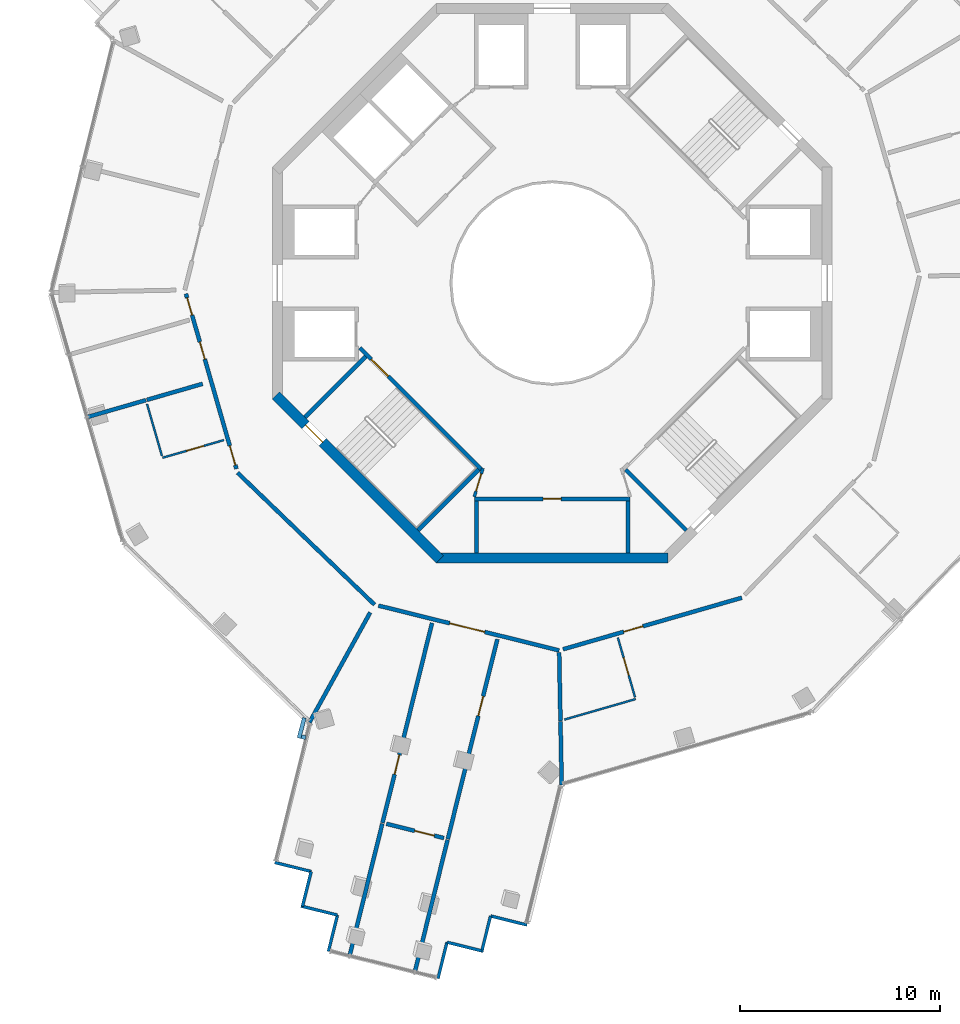
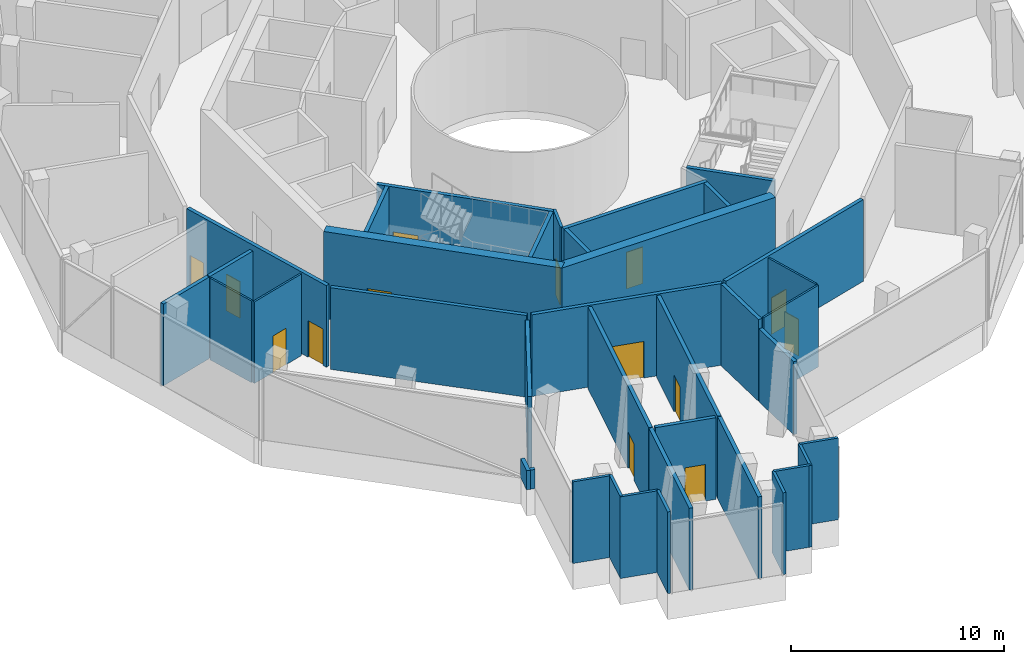
# One storey, part 8 of 17: 38 walls, 14 doors, 14 openings.
"""IFC4 building model written with IfcOpenShell, lengths in metres."""

from ifc_helpers import new_model, si_unit, direction, frame, frame_2d, origin, place, context, subcontext, project, spatial, rectangle, extrude, material, layer, layer_set, type_object, element, fill, save


model = new_model("IFC4")

# Units and contexts
model_context = context("Model", 3, precision=1e-05, world=origin(), true_north=direction((0.0, 1.0)))
body_context = subcontext(model_context, "Body", "Model", "MODEL_VIEW")
ifc_project = project(units=[si_unit("LENGTHUNIT", "METRE"), si_unit("AREAUNIT", "SQUARE_METRE"), si_unit("VOLUMEUNIT", "CUBIC_METRE"), si_unit("PLANEANGLEUNIT", "RADIAN"), si_unit("MASSUNIT", "GRAM", prefix="KILO")], contexts=[model_context])

# Site, building, storey
site_placement = place(None, origin())
site = spatial("IfcSite", under=ifc_project, at=site_placement, CompositionType="ELEMENT")
building_placement = place(site_placement, origin())
building = spatial("IfcBuilding", under=site, at=building_placement, Name="Verdalira Terraces Hotel", CompositionType="ELEMENT")
storey_placement = place(building_placement, frame((0.0, 0.0, 222.0)))
storey = spatial("IfcBuildingStorey", under=building, at=storey_placement, Name="L54", CompositionType="ELEMENT", Elevation=222.0)

# Wall
ifc_material_1 = material(Name="Moisture-resistant gypsum board partition")
ifc_layer_1 = layer(ifc_material_1, 0.10009765625)
ifc_layer_set_1 = layer_set([ifc_layer_1], Name="Bathroom partition 100 mm")
wall_type_1 = type_object("IfcWallType", Name="Bathroom partition 100 mm", PredefinedType="PARTITIONING", material=ifc_layer_set_1)
wall_1_placement = place(storey_placement, frame((-19.527344, -8.646973, 0.0), z_axis=(0.0, 0.0, 1.0), x_axis=(-0.276953567, 0.960883303, 0.0)))
element("IfcWall", 1, at=wall_1_placement, inside=storey, type_object=wall_type_1, Name="Bathroom partition", PredefinedType="PARTITIONING", context=body_context, shape_type="SweptSolid", body=[
    extrude(rectangle(XDim=2.700195, YDim=0.100098, at=frame_2d((1.350098, 0.0))), origin(), (0.0, 0.0, 1.0), 4.689941),
])

# Wall, opening, door
wall_2_placement = place(storey_placement, frame((-19.499512, -8.74292, 0.0), z_axis=(0.0, 0.0, 1.0), x_axis=(0.960882179, 0.276957465, 0.0)))
wall_2 = element("IfcWall", 2, at=wall_2_placement, inside=storey, type_object=wall_type_1, Name="Bathroom partition", PredefinedType="PARTITIONING", context=body_context, shape_type="SweptSolid", body=[
    extrude(rectangle(XDim=3.199951, YDim=0.100098, at=frame_2d((1.600098, 0.0))), origin(), (0.0, 0.0, 1.0), 4.689941),
])
opening_1_placement = place(wall_2_placement, frame((1.25, 0.0, 0.0)))
opening_1 = element("IfcOpeningElement", 3, at=opening_1_placement, cuts=wall_2, Name="Opening L54-107", PredefinedType="OPENING", context=body_context, shape_type="SweptSolid", body=[
    extrude(rectangle(XDim=0.899902, YDim=2.100098, at=frame_2d((0.449951, 1.050049))), frame((0.0, 0.060059, 0.0), z_axis=(0.0, -1.0, 0.0), x_axis=(1.0, 0.0, 0.0)), (0.0, 0.0, 1.0), 0.120117),
])
ifc_material_2 = material(Name="Timber door", Category="wood")
door_type_1 = type_object("IfcDoorType", Name="Bathroom door 900 x 2100", OperationType="NOTDEFINED", PredefinedType="DOOR", material=ifc_material_2)
door_1_placement = place(opening_1_placement, origin())
door_1 = element("IfcDoor", 4, at=door_1_placement, inside=storey, type_object=door_type_1, Name="Bathroom door 5404", OperationType="SINGLE_SWING_LEFT", OverallHeight=2.10009765625, OverallWidth=0.89990234375, PredefinedType="DOOR", context=body_context, shape_type="SweptSolid", body=[
    extrude(rectangle(XDim=0.899902, YDim=2.100098, at=frame_2d((0.449951, 1.050049))), frame((0.0, 0.024902, 0.0), z_axis=(0.0, -1.0, 0.0), x_axis=(1.0, 0.0, 0.0)), (0.0, 0.0, 1.0), 0.050049),
])
fill(opening_1, door_1)

# Wall
wall_3_placement = place(storey_placement, frame((4.170898, -20.817627, 0.0), z_axis=(0.0, 0.0, 1.0), x_axis=(-0.960879605, -0.276966395, 0.0)))
element("IfcWall", 5, at=wall_3_placement, inside=storey, type_object=wall_type_1, Name="Bathroom partition", PredefinedType="PARTITIONING", context=body_context, shape_type="SweptSolid", body=[
    extrude(rectangle(XDim=3.704102, YDim=0.100098, at=frame_2d((1.852051, 0.0))), origin(), (0.0, 0.0, 1.0), 4.689941),
])

# Wall, opening, door
wall_4_placement = place(storey_placement, frame((4.143311, -20.721436, 0.0), z_axis=(0.0, 0.0, 1.0), x_axis=(-0.277050197, 0.960855446, 0.0)))
wall_4 = element("IfcWall", 6, at=wall_4_placement, inside=storey, type_object=wall_type_1, Name="Bathroom partition", PredefinedType="PARTITIONING", context=body_context, shape_type="SweptSolid", body=[
    extrude(rectangle(XDim=3.100098, YDim=0.100098, at=frame_2d((1.550049, 0.0))), origin(), (0.0, 0.0, 1.0), 4.689941),
])
opening_2_placement = place(wall_4_placement, frame((1.149902, 0.0, 0.0)))
opening_2 = element("IfcOpeningElement", 7, at=opening_2_placement, cuts=wall_4, Name="Opening L54-113", PredefinedType="OPENING", context=body_context, shape_type="SweptSolid", body=[
    extrude(rectangle(XDim=0.899902, YDim=2.100098, at=frame_2d((0.449951, 1.050049))), frame((0.0, 0.060059, 0.0), z_axis=(0.0, -1.0, 0.0), x_axis=(1.0, 0.0, 0.0)), (0.0, 0.0, 1.0), 0.120117),
])
door_2_placement = place(opening_2_placement, origin())
door_2 = element("IfcDoor", 8, at=door_2_placement, inside=storey, type_object=door_type_1, Name="Bathroom door 5406", OperationType="SINGLE_SWING_LEFT", OverallHeight=2.10009765625, OverallWidth=0.89990234375, PredefinedType="DOOR", context=body_context, shape_type="SweptSolid", body=[
    extrude(rectangle(XDim=0.899902, YDim=2.100098, at=frame_2d((0.449951, 1.050049))), frame((0.0, 0.024902, 0.0), z_axis=(0.0, -1.0, 0.0), x_axis=(1.0, 0.0, 0.0)), (0.0, 0.0, 1.0), 0.050049),
])
fill(opening_2, door_2)

ifc_material_3 = material(Name="Concrete C50", Category="concrete")
ifc_layer_2 = layer(ifc_material_3, 0.199951171875)
ifc_layer_set_2 = layer_set([ifc_layer_2], Name="Core RC wall 200 C50")
wall_type_2 = type_object("IfcWallType", Name="Core RC wall 200 C50", PredefinedType="SOLIDWALL", material=ifc_layer_set_2)
wall_5_placement = place(storey_placement, frame((-3.899902, -10.800049, 0.0), z_axis=(0.0, 0.0, 1.0), x_axis=(1.0, 0.0, 0.0)))
wall_5 = element("IfcWall", 9, at=wall_5_placement, inside=storey, type_object=wall_type_2, Name="L54 store front wall", PredefinedType="SOLIDWALL", context=body_context, shape_type="SweptSolid", body=[
    extrude(rectangle(XDim=7.799805, YDim=0.199951, at=frame_2d((3.899902, 0.0))), origin(), (0.0, 0.0, 1.0), 4.689941),
])
opening_3_placement = place(wall_5_placement, frame((3.449951, 0.0, 0.0)))
opening_3 = element("IfcOpeningElement", 10, at=opening_3_placement, cuts=wall_5, Name="Opening L54-801", PredefinedType="OPENING", context=body_context, shape_type="SweptSolid", body=[
    extrude(rectangle(XDim=0.899902, YDim=2.100098, at=frame_2d((0.449951, 1.050049))), frame((0.0, 0.109863, 0.0), z_axis=(0.0, -1.0, 0.0), x_axis=(1.0, 0.0, 0.0)), (0.0, 0.0, 1.0), 0.219971),
])
ifc_material_4 = material(Name="Steel fire door", Category="steel")
door_type_2 = type_object("IfcDoorType", Name="Core room door 900 x 2100", OperationType="NOTDEFINED", PredefinedType="DOOR", material=ifc_material_4)
door_3_placement = place(opening_3_placement, origin())
door_3 = element("IfcDoor", 11, at=door_3_placement, inside=storey, type_object=door_type_2, Name="Store door L54 SS", OperationType="SINGLE_SWING_LEFT", OverallHeight=2.10009765625, OverallWidth=0.89990234375, PredefinedType="DOOR", context=body_context, shape_type="SweptSolid", body=[
    extrude(rectangle(XDim=0.899902, YDim=2.100098, at=frame_2d((0.449951, 1.050049))), frame((0.0, 0.024902, 0.0), z_axis=(0.0, -1.0, 0.0), x_axis=(1.0, 0.0, 0.0)), (0.0, 0.0, 1.0), 0.050049),
])
fill(opening_3, door_3)

# Walls
for number, where, z_axis, x_axis, name in (
    (12, (-3.800049, -10.899902, 0.0), (0.0, 0.0, 1.0), (0.0, -1.0, 0.0), "L54 store side wall"),
    (13, (3.800049, -10.899902, 0.0), (0.0, 0.0, 1.0), (0.0, -1.0, 0.0), "L54 store side wall"),
):
    element("IfcWall", number, at=place(storey_placement, frame(where, z_axis=z_axis, x_axis=x_axis)), inside=storey, type_object=wall_type_2, Name=name, PredefinedType="SOLIDWALL", context=body_context, shape_type="SweptSolid", body=[
        extrude(rectangle(XDim=2.600098, YDim=0.199951, at=frame_2d((1.300049, 0.0))), origin(), (0.0, 0.0, 1.0), 4.689941),
    ])

# Wall, opening, door
wall_6_placement = place(storey_placement, frame((-3.5354, -9.33374, 0.0), z_axis=(0.0, 0.0, 1.0), x_axis=(-0.707120946, 0.707092617, 0.0)))
wall_6 = element("IfcWall", 14, at=wall_6_placement, inside=storey, type_object=wall_type_2, Name="L54 stair ST2 front wall", PredefinedType="SOLIDWALL", context=body_context, shape_type="SweptSolid", body=[
    extrude(rectangle(XDim=8.61792, YDim=0.199951, at=frame_2d((4.309082, 0.0))), origin(), (0.0, 0.0, 1.0), 4.689941),
])
opening_4_placement = place(wall_6_placement, frame((6.600098, 0.0, 0.0)))
opening_4 = element("IfcOpeningElement", 15, at=opening_4_placement, cuts=wall_6, Name="Opening L54-811", PredefinedType="OPENING", context=body_context, shape_type="SweptSolid", body=[
    extrude(rectangle(XDim=1.199951, YDim=2.100098, at=frame_2d((0.600098, 1.050049))), frame((0.0, 0.109863, 0.0), z_axis=(0.0, -1.0, 0.0), x_axis=(1.0, 0.0, 0.0)), (0.0, 0.0, 1.0), 0.219971),
])
ifc_material_5 = material(Name="Steel fire door", Category="steel")
door_type_3 = type_object("IfcDoorType", Name="Stair door 1200 x 2100", OperationType="NOTDEFINED", PredefinedType="DOOR", material=ifc_material_5)
door_4_placement = place(opening_4_placement, origin())
door_4 = element("IfcDoor", 16, at=door_4_placement, inside=storey, type_object=door_type_3, Name="Stair door ST2 L54", OperationType="SINGLE_SWING_RIGHT", OverallHeight=2.10009765625, OverallWidth=1.199951171875, PredefinedType="DOOR", context=body_context, shape_type="SweptSolid", body=[
    extrude(rectangle(XDim=1.199951, YDim=2.100098, at=frame_2d((0.600098, 1.050049))), frame((0.0, 0.024902, 0.0), z_axis=(0.0, -1.0, 0.0), x_axis=(1.0, 0.0, 0.0)), (0.0, 0.0, 1.0), 0.050049),
])
fill(opening_4, door_4)

# Walls
for number, where, z_axis, x_axis, name in (
    (17, (-9.33374, -3.677002, 0.0), (0.0, 0.0, 1.0), (-0.707135168, -0.707078393, 0.0), "L54 stair ST2 end wall 1"),
    (18, (-3.677002, -9.33374, 0.0), (0.0, 0.0, 1.0), (-0.707078393, -0.707135168, 0.0), "L54 stair ST2 end wall 2"),
    (19, (3.677002, -9.33374, 0.0), (0.0, 0.0, 1.0), (0.707078393, -0.707135168, 0.0), "L54 stair ST3 end wall 1"),
):
    element("IfcWall", number, at=place(storey_placement, frame(where, z_axis=z_axis, x_axis=x_axis)), inside=storey, type_object=wall_type_2, Name=name, PredefinedType="SOLIDWALL", context=body_context, shape_type="SweptSolid", body=[
        extrude(rectangle(XDim=4.300049, YDim=0.199951, at=frame_2d((2.149902, 0.0))), origin(), (0.0, 0.0, 1.0), 4.689941),
    ])

# Wall, opening, door
ifc_material_6 = material(Name="Gypsum board partition")
ifc_layer_3 = layer(ifc_material_6, 0.14990234375)
ifc_layer_set_3 = layer_set([ifc_layer_3], Name="Core partition 150 mm")
wall_type_3 = type_object("IfcWallType", Name="Core partition 150 mm", PredefinedType="PARTITIONING", material=ifc_layer_set_3)
wall_7_placement = place(storey_placement, frame((-3.464844, -9.263184, 0.0), z_axis=(0.0, 0.0, 1.0), x_axis=(-0.289808785, -0.957084567, 0.0)))
wall_7 = element("IfcWall", 20, at=wall_7_placement, inside=storey, type_object=wall_type_3, Name="Room partition L54", PredefinedType="PARTITIONING", context=body_context, shape_type="SweptSolid", body=[
    extrude(rectangle(XDim=1.501221, YDim=0.149902, at=frame_2d((0.750488, 0.0))), origin(), (0.0, 0.0, 1.0), 4.689941),
])
opening_5_placement = place(wall_7_placement, frame((0.300781, 0.0, 0.0)))
opening_5 = element("IfcOpeningElement", 21, at=opening_5_placement, cuts=wall_7, Name="Opening L54-822", PredefinedType="OPENING", context=body_context, shape_type="SweptSolid", body=[
    extrude(rectangle(XDim=0.899902, YDim=2.100098, at=frame_2d((0.449951, 1.050049))), frame((0.0, 0.084961, 0.0), z_axis=(0.0, -1.0, 0.0), x_axis=(1.0, 0.0, 0.0)), (0.0, 0.0, 1.0), 0.169922),
])
door_5_placement = place(opening_5_placement, origin())
door_5 = element("IfcDoor", 22, at=door_5_placement, inside=storey, type_object=door_type_2, Name="Door L54 room5", OperationType="SINGLE_SWING_LEFT", OverallHeight=2.10009765625, OverallWidth=0.89990234375, PredefinedType="DOOR", context=body_context, shape_type="SweptSolid", body=[
    extrude(rectangle(XDim=0.899902, YDim=2.100098, at=frame_2d((0.449951, 1.050049))), frame((0.0, 0.024902, 0.0), z_axis=(0.0, -1.0, 0.0), x_axis=(1.0, 0.0, 0.0)), (0.0, 0.0, 1.0), 0.050049),
])
fill(opening_5, door_5)

ifc_material_7 = material(Name="Concrete C50", Category="concrete")
ifc_layer_4 = layer(ifc_material_7, 0.5)
ifc_layer_set_4 = layer_set([ifc_layer_4], Name="Core wall 500 C50")
wall_type_4 = type_object("IfcWallType", Name="Core wall 500 C50", PredefinedType="SHEAR", material=ifc_layer_set_4)
wall_8_placement = place(storey_placement, frame((-13.823242, -5.622314, 0.0), z_axis=(0.0, 0.0, 1.0), x_axis=(0.707106781, -0.707106781, 0.0)))
wall_8 = element("IfcWall", 23, at=wall_8_placement, inside=storey, type_object=wall_type_4, Name="Core wall CW-L54-6", PredefinedType="SHEAR", context=body_context, shape_type="SweptSolid", body=[
    extrude(rectangle(XDim=11.5979, YDim=0.5, at=frame_2d((5.798828, 0.0))), origin(), (0.0, 0.0, 1.0), 5.0),
])
opening_6_placement = place(wall_8_placement, frame((2.099121, 0.0, 0.0)))
opening_6 = element("IfcOpeningElement", 24, at=opening_6_placement, cuts=wall_8, Name="Opening L54-817", PredefinedType="OPENING", context=body_context, shape_type="SweptSolid", body=[
    extrude(rectangle(XDim=1.199951, YDim=2.100098, at=frame_2d((0.600098, 1.050049))), frame((0.0, 0.26001, 0.0), z_axis=(0.0, -1.0, 0.0), x_axis=(1.0, 0.0, 0.0)), (0.0, 0.0, 1.0), 0.52002),
])
door_6_placement = place(opening_6_placement, origin())
door_6 = element("IfcDoor", 25, at=door_6_placement, inside=storey, type_object=door_type_3, Name="Stair exit door ST2 L54", OperationType="SINGLE_SWING_LEFT", OverallHeight=2.10009765625, OverallWidth=1.199951171875, PredefinedType="DOOR", context=body_context, shape_type="SweptSolid", body=[
    extrude(rectangle(XDim=1.199951, YDim=2.100098, at=frame_2d((0.600098, 1.050049))), frame((0.0, 0.024902, 0.0), z_axis=(0.0, -1.0, 0.0), x_axis=(1.0, 0.0, 0.0)), (0.0, 0.0, 1.0), 0.050049),
])
fill(opening_6, door_6)

# Walls
wall_9_placement = place(storey_placement, frame((-5.799072, -13.75, 0.0), z_axis=(0.0, 0.0, 1.0), x_axis=(1.0, 0.0, 0.0)))
element("IfcWall", 26, at=wall_9_placement, inside=storey, type_object=wall_type_4, Name="Core wall CW-L54-7", PredefinedType="SHEAR", context=body_context, shape_type="SweptSolid", body=[
    extrude(rectangle(XDim=11.598145, YDim=0.5, at=frame_2d((5.799072, 0.0))), origin(), (0.0, 0.0, 1.0), 5.0),
])
ifc_material_8 = material(Name="Fire-rated gypsum board wall")
ifc_layer_5 = layer(ifc_material_8, 0.199951171875)
ifc_layer_set_5 = layer_set([ifc_layer_5], Name="Demising wall 200 mm")
wall_type_5 = type_object("IfcWallType", Name="Demising wall 200 mm", PredefinedType="SOLIDWALL", material=ifc_layer_set_5)
wall_10_placement = place(storey_placement, frame((-12.14502, -21.982178, 0.0), z_axis=(0.0, 0.0, 1.0), x_axis=(0.483615599, 0.875280499, 0.0)))
element("IfcWall", 27, at=wall_10_placement, inside=storey, type_object=wall_type_5, Name="Demising wall", PredefinedType="SOLIDWALL", context=body_context, shape_type="SweptSolid", body=[
    extrude(rectangle(XDim=6.281982, YDim=0.199951, at=frame_2d((3.141113, 0.0))), origin(), (0.0, 0.0, 1.0), 4.689941),
])
wall_11_placement = place(storey_placement, frame((-8.502197, -27.05542, 0.0), z_axis=(0.0, 0.0, 1.0), x_axis=(-0.240556166, -0.97063522, 0.0)))
element("IfcWall", 28, at=wall_11_placement, inside=storey, type_object=wall_type_5, Name="Demising wall", PredefinedType="SOLIDWALL", context=body_context, shape_type="SweptSolid", body=[
    extrude(rectangle(XDim=6.850586, YDim=0.199951, at=frame_2d((3.425293, 0.0))), origin(), (0.0, 0.0, 1.0), 4.689941),
])

# Wall, opening, door
wall_12_placement = place(storey_placement, frame((-8.491211, -27.010986, 0.0), z_axis=(0.0, 0.0, 1.0), x_axis=(0.240583523, 0.97062844, 0.0)))
wall_12 = element("IfcWall", 29, at=wall_12_placement, inside=storey, type_object=wall_type_5, Name="Demising wall", PredefinedType="SOLIDWALL", context=body_context, shape_type="SweptSolid", body=[
    extrude(rectangle(XDim=10.302002, YDim=0.199951, at=frame_2d((5.150879, 0.0))), origin(), (0.0, 0.0, 1.0), 4.689941),
])
opening_7_placement = place(wall_12_placement, frame((2.5, 0.0, 0.0)))
opening_7 = element("IfcOpeningElement", 30, at=opening_7_placement, cuts=wall_12, Name="Opening L54-109", PredefinedType="OPENING", context=body_context, shape_type="SweptSolid", body=[
    extrude(rectangle(XDim=1.0, YDim=2.100098, at=frame_2d((0.5, 1.050049))), frame((0.0, 0.109863, 0.0), z_axis=(0.0, -1.0, 0.0), x_axis=(1.0, 0.0, 0.0)), (0.0, 0.0, 1.0), 0.219971),
])
ifc_material_9 = material(Name="Timber fire door", Category="wood")
door_type_4 = type_object("IfcDoorType", Name="Public room door 1000 x 2100", OperationType="NOTDEFINED", PredefinedType="DOOR", material=ifc_material_9)
door_7_placement = place(opening_7_placement, origin())
door_7 = element("IfcDoor", 31, at=door_7_placement, inside=storey, type_object=door_type_4, Name="Public room door 5405", OperationType="SINGLE_SWING_LEFT", OverallHeight=2.10009765625, OverallWidth=1.0, PredefinedType="DOOR", context=body_context, shape_type="SweptSolid", body=[
    extrude(rectangle(XDim=1.0, YDim=2.100098, at=frame_2d((0.5, 1.050049))), frame((0.0, 0.024902, 0.0), z_axis=(0.0, -1.0, 0.0), x_axis=(1.0, 0.0, 0.0)), (0.0, 0.0, 1.0), 0.050049),
])
fill(opening_7, door_7)

wall_13_placement = place(storey_placement, frame((-5.418701, -27.770264, 0.0), z_axis=(0.0, 0.0, 1.0), x_axis=(-0.970624919, 0.240597728, 0.0)))
wall_13 = element("IfcWall", 32, at=wall_13_placement, inside=storey, type_object=wall_type_5, Name="Demising wall", PredefinedType="SOLIDWALL", context=body_context, shape_type="SweptSolid", body=[
    extrude(rectangle(XDim=2.965088, YDim=0.199951, at=frame_2d((1.482422, 0.0))), origin(), (0.0, 0.0, 1.0), 4.689941),
])
opening_8_placement = place(wall_13_placement, frame((0.5, 0.0, 0.0)))
opening_8 = element("IfcOpeningElement", 33, at=opening_8_placement, cuts=wall_13, Name="Opening L54-111", PredefinedType="OPENING", context=body_context, shape_type="SweptSolid", body=[
    extrude(rectangle(XDim=1.0, YDim=2.100098, at=frame_2d((0.5, 1.050049))), frame((0.0, 0.109863, 0.0), z_axis=(0.0, -1.0, 0.0), x_axis=(1.0, 0.0, 0.0)), (0.0, 0.0, 1.0), 0.219971),
])
door_8_placement = place(opening_8_placement, origin())
door_8 = element("IfcDoor", 34, at=door_8_placement, inside=storey, type_object=door_type_4, Name="Public room door 5405", OperationType="SINGLE_SWING_LEFT", OverallHeight=2.10009765625, OverallWidth=1.0, PredefinedType="DOOR", context=body_context, shape_type="SweptSolid", body=[
    extrude(rectangle(XDim=1.0, YDim=2.100098, at=frame_2d((0.5, 1.050049))), frame((0.0, 0.024902, 0.0), z_axis=(0.0, -1.0, 0.0), x_axis=(1.0, 0.0, 0.0)), (0.0, 0.0, 1.0), 0.050049),
])
fill(opening_8, door_8)

# Wall
wall_14_placement = place(storey_placement, frame((-6.884033, -34.514404, 0.0), z_axis=(0.0, 0.0, 1.0), x_axis=(0.240556166, 0.97063522, 0.0)))
element("IfcWall", 35, at=wall_14_placement, inside=storey, type_object=wall_type_5, Name="Demising wall", PredefinedType="SOLIDWALL", context=body_context, shape_type="SweptSolid", body=[
    extrude(rectangle(XDim=6.850586, YDim=0.199951, at=frame_2d((3.425293, 0.0))), origin(), (0.0, 0.0, 1.0), 4.689941),
])

# Wall, opening, door
wall_15_placement = place(storey_placement, frame((-2.746582, -17.820801, 0.0), z_axis=(0.0, 0.0, 1.0), x_axis=(-0.240583523, -0.97062844, 0.0)))
wall_15 = element("IfcWall", 36, at=wall_15_placement, inside=storey, type_object=wall_type_5, Name="Demising wall", PredefinedType="SOLIDWALL", context=body_context, shape_type="SweptSolid", body=[
    extrude(rectangle(XDim=10.302002, YDim=0.199951, at=frame_2d((5.150879, 0.0))), origin(), (0.0, 0.0, 1.0), 4.689941),
])
opening_9_placement = place(wall_15_placement, frame((2.949951, 0.0, 0.0)))
opening_9 = element("IfcOpeningElement", 37, at=opening_9_placement, cuts=wall_15, Name="Opening L54-110", PredefinedType="OPENING", context=body_context, shape_type="SweptSolid", body=[
    extrude(rectangle(XDim=1.0, YDim=2.100098, at=frame_2d((0.5, 1.050049))), frame((0.0, 0.109863, 0.0), z_axis=(0.0, -1.0, 0.0), x_axis=(1.0, 0.0, 0.0)), (0.0, 0.0, 1.0), 0.219971),
])
door_9_placement = place(opening_9_placement, origin())
door_9 = element("IfcDoor", 38, at=door_9_placement, inside=storey, type_object=door_type_4, Name="Public room door 5405", OperationType="SINGLE_SWING_LEFT", OverallHeight=2.10009765625, OverallWidth=1.0, PredefinedType="DOOR", context=body_context, shape_type="SweptSolid", body=[
    extrude(rectangle(XDim=1.0, YDim=2.100098, at=frame_2d((0.5, 1.050049))), frame((0.0, 0.024902, 0.0), z_axis=(0.0, -1.0, 0.0), x_axis=(1.0, 0.0, 0.0)), (0.0, 0.0, 1.0), 0.050049),
])
fill(opening_9, door_9)

# Walls
wall_16_placement = place(storey_placement, frame((0.348389, -18.485107, 0.0), z_axis=(0.0, 0.0, 1.0), x_axis=(0.018855137, -0.999822226, 0.0)))
element("IfcWall", 39, at=wall_16_placement, inside=storey, type_object=wall_type_5, Name="Demising wall", PredefinedType="SOLIDWALL", context=body_context, shape_type="SweptSolid", body=[
    extrude(rectangle(XDim=3.418213, YDim=0.199951, at=frame_2d((1.708984, 0.0))), origin(), (0.0, 0.0, 1.0), 4.689941),
])
ifc_material_10 = material(Name="Fire-rated gypsum board wall")
ifc_layer_6 = layer(ifc_material_10, 0.199951171875)
ifc_layer_set_6 = layer_set([ifc_layer_6], Name="Demising wall 200 mm to beam soffit")
wall_type_6 = type_object("IfcWallType", Name="Demising wall 200 mm to beam soffit", PredefinedType="SOLIDWALL", material=ifc_layer_set_6)
wall_17_placement = place(storey_placement, frame((0.413818, -21.94873, 0.0), z_axis=(0.0, 0.0, 1.0), x_axis=(0.018842719, -0.99982246, 0.0)))
element("IfcWall", 40, at=wall_17_placement, inside=storey, type_object=wall_type_6, Name="Demising wall", PredefinedType="SOLIDWALL", context=body_context, shape_type="SweptSolid", body=[
    extrude(rectangle(XDim=3.161377, YDim=0.199951, at=frame_2d((1.580566, 0.0))), origin(), (0.0, 0.0, 1.0), 4.189941),
])

# Wall, openings, doors
ifc_material_11 = material(Name="Fire-rated gypsum board wall")
ifc_layer_7 = layer(ifc_material_11, 0.199951171875)
ifc_layer_set_7 = layer_set([ifc_layer_7], Name="Guest corridor wall 200 mm")
wall_type_7 = type_object("IfcWallType", Name="Guest corridor wall 200 mm", PredefinedType="SOLIDWALL", material=ifc_layer_set_7)
wall_18_placement = place(storey_placement, frame((-15.801025, -9.298096, 0.0), z_axis=(0.0, 0.0, 1.0), x_axis=(-0.277001842, 0.960869387, 0.0)))
wall_18 = element("IfcWall", 41, at=wall_18_placement, inside=storey, type_object=wall_type_7, Name="Guest corridor wall", PredefinedType="SOLIDWALL", context=body_context, shape_type="SweptSolid", body=[
    extrude(rectangle(XDim=9.115967, YDim=0.199951, at=frame_2d((4.558105, 0.0))), origin(), (0.0, 0.0, 1.0), 4.689941),
])
opening_10_placement = place(wall_18_placement, frame((0.199951, 0.0, 0.0)))
opening_10 = element("IfcOpeningElement", 42, at=opening_10_placement, cuts=wall_18, Name="Opening L54-106", PredefinedType="OPENING", context=body_context, shape_type="SweptSolid", body=[
    extrude(rectangle(XDim=1.0, YDim=2.100098, at=frame_2d((0.5, 1.050049))), frame((0.0, 0.109863, 0.0), z_axis=(0.0, -1.0, 0.0), x_axis=(1.0, 0.0, 0.0)), (0.0, 0.0, 1.0), 0.219971),
])
opening_11_placement = place(wall_18_placement, frame((8.007812, 0.0, 0.0)))
opening_11 = element("IfcOpeningElement", 43, at=opening_11_placement, cuts=wall_18, Name="Opening L54-121", PredefinedType="OPENING", context=body_context, shape_type="SweptSolid", body=[
    extrude(rectangle(XDim=0.899902, YDim=2.100098, at=frame_2d((0.449951, 1.050049))), frame((0.0, 0.109863, 0.0), z_axis=(0.0, -1.0, 0.0), x_axis=(1.0, 0.0, 0.0)), (0.0, 0.0, 1.0), 0.219971),
])
opening_12_placement = place(wall_18_placement, frame((5.707764, 0.0, 0.0)))
opening_12 = element("IfcOpeningElement", 44, at=opening_12_placement, cuts=wall_18, Name="Opening L54-122", PredefinedType="OPENING", context=body_context, shape_type="SweptSolid", body=[
    extrude(rectangle(XDim=0.899902, YDim=2.100098, at=frame_2d((0.449951, 1.050049))), frame((0.0, 0.109863, 0.0), z_axis=(0.0, -1.0, 0.0), x_axis=(1.0, 0.0, 0.0)), (0.0, 0.0, 1.0), 0.219971),
])
ifc_material_12 = material(Name="Timber fire door", Category="wood")
door_type_5 = type_object("IfcDoorType", Name="Guest entry door 1000 x 2100", OperationType="NOTDEFINED", PredefinedType="DOOR", material=ifc_material_12)
door_10_placement = place(opening_10_placement, origin())
door_10 = element("IfcDoor", 45, at=door_10_placement, inside=storey, type_object=door_type_5, Name="Guest entry door 5404", OperationType="SINGLE_SWING_LEFT", OverallHeight=2.10009765625, OverallWidth=1.0, PredefinedType="DOOR", context=body_context, shape_type="SweptSolid", body=[
    extrude(rectangle(XDim=1.0, YDim=2.100098, at=frame_2d((0.5, 1.050049))), frame((0.0, 0.024902, 0.0), z_axis=(0.0, -1.0, 0.0), x_axis=(1.0, 0.0, 0.0)), (0.0, 0.0, 1.0), 0.050049),
])
fill(opening_10, door_10)
ifc_material_13 = material(Name="Timber fire door", Category="wood")
door_type_6 = type_object("IfcDoorType", Name="Toilet door 900 x 2100", OperationType="NOTDEFINED", PredefinedType="DOOR", material=ifc_material_13)
door_11_placement = place(opening_11_placement, origin())
door_11 = element("IfcDoor", 46, at=door_11_placement, inside=storey, type_object=door_type_6, Name="Toilet door 5411", OperationType="SINGLE_SWING_LEFT", OverallHeight=2.10009765625, OverallWidth=0.89990234375, PredefinedType="DOOR", context=body_context, shape_type="SweptSolid", body=[
    extrude(rectangle(XDim=0.899902, YDim=2.100098, at=frame_2d((0.449951, 1.050049))), frame((0.0, 0.024902, 0.0), z_axis=(0.0, -1.0, 0.0), x_axis=(1.0, 0.0, 0.0)), (0.0, 0.0, 1.0), 0.050049),
])
fill(opening_11, door_11)
door_12_placement = place(opening_12_placement, origin())
door_12 = element("IfcDoor", 47, at=door_12_placement, inside=storey, type_object=door_type_6, Name="Toilet door 5412", OperationType="SINGLE_SWING_LEFT", OverallHeight=2.10009765625, OverallWidth=0.89990234375, PredefinedType="DOOR", context=body_context, shape_type="SweptSolid", body=[
    extrude(rectangle(XDim=0.899902, YDim=2.100098, at=frame_2d((0.449951, 1.050049))), frame((0.0, 0.024902, 0.0), z_axis=(0.0, -1.0, 0.0), x_axis=(1.0, 0.0, 0.0)), (0.0, 0.0, 1.0), 0.050049),
])
fill(opening_12, door_12)

# Wall
wall_19_placement = place(storey_placement, frame((-15.745117, -9.491211, 0.0), z_axis=(0.0, 0.0, 1.0), x_axis=(0.720309294, -0.693653027, 0.0)))
element("IfcWall", 48, at=wall_19_placement, inside=storey, type_object=wall_type_7, Name="Guest corridor wall", PredefinedType="SOLIDWALL", context=body_context, shape_type="SweptSolid", body=[
    extrude(rectangle(XDim=9.516113, YDim=0.199951, at=frame_2d((4.758057, 0.0))), origin(), (0.0, 0.0, 1.0), 4.689941),
])

# Wall, opening, door
wall_20_placement = place(storey_placement, frame((0.346436, -18.381592, 0.0), z_axis=(0.0, 0.0, 1.0), x_axis=(-0.970627645, 0.240586728, 0.0)))
wall_20 = element("IfcWall", 49, at=wall_20_placement, inside=storey, type_object=wall_type_7, Name="Guest corridor wall", PredefinedType="SOLIDWALL", context=body_context, shape_type="SweptSolid", body=[
    extrude(rectangle(XDim=9.31665, YDim=0.199951, at=frame_2d((4.658203, 0.0))), origin(), (0.0, 0.0, 1.0), 4.689941),
])
opening_13_placement = place(wall_20_placement, frame((3.837158, 0.0, 0.0)))
opening_13 = element("IfcOpeningElement", 50, at=opening_13_placement, cuts=wall_20, Name="Opening L54-108", PredefinedType="OPENING", context=body_context, shape_type="SweptSolid", body=[
    extrude(rectangle(XDim=1.800049, YDim=2.100098, at=frame_2d((0.899902, 1.050049))), frame((0.0, 0.109863, 0.0), z_axis=(0.0, -1.0, 0.0), x_axis=(1.0, 0.0, 0.0)), (0.0, 0.0, 1.0), 0.219971),
])
ifc_material_14 = material(Name="Timber fire door", Category="wood")
door_type_7 = type_object("IfcDoorType", Name="Public room double door 1800 x 2100", OperationType="NOTDEFINED", PredefinedType="DOOR", material=ifc_material_14)
door_13_placement = place(opening_13_placement, origin())
door_13 = element("IfcDoor", 51, at=door_13_placement, inside=storey, type_object=door_type_7, Name="Public room double door 5405", OperationType="DOUBLE_DOOR_SINGLE_SWING", OverallHeight=2.10009765625, OverallWidth=1.800048828125, PredefinedType="DOOR", context=body_context, shape_type="SweptSolid", body=[
    extrude(rectangle(XDim=1.800049, YDim=2.100098, at=frame_2d((0.899902, 1.050049))), frame((0.0, 0.024902, 0.0), z_axis=(0.0, -1.0, 0.0), x_axis=(1.0, 0.0, 0.0)), (0.0, 0.0, 1.0), 0.050049),
])
fill(opening_13, door_13)

wall_21_placement = place(storey_placement, frame((9.490234, -15.745605, 0.0), z_axis=(0.0, 0.0, 1.0), x_axis=(-0.960868539, -0.277004785, 0.0)))
wall_21 = element("IfcWall", 52, at=wall_21_placement, inside=storey, type_object=wall_type_7, Name="Guest corridor wall", PredefinedType="SOLIDWALL", context=body_context, shape_type="SweptSolid", body=[
    extrude(rectangle(XDim=9.315918, YDim=0.199951, at=frame_2d((4.657959, 0.0))), origin(), (0.0, 0.0, 1.0), 4.689941),
])
opening_14_placement = place(wall_21_placement, frame((5.149902, 0.0, 0.0)))
opening_14 = element("IfcOpeningElement", 53, at=opening_14_placement, cuts=wall_21, Name="Opening L54-112", PredefinedType="OPENING", context=body_context, shape_type="SweptSolid", body=[
    extrude(rectangle(XDim=1.0, YDim=2.100098, at=frame_2d((0.5, 1.050049))), frame((0.0, 0.109863, 0.0), z_axis=(0.0, -1.0, 0.0), x_axis=(1.0, 0.0, 0.0)), (0.0, 0.0, 1.0), 0.219971),
])
door_14_placement = place(opening_14_placement, origin())
door_14 = element("IfcDoor", 54, at=door_14_placement, inside=storey, type_object=door_type_5, Name="Guest entry door 5406", OperationType="SINGLE_SWING_LEFT", OverallHeight=2.10009765625, OverallWidth=1.0, PredefinedType="DOOR", context=body_context, shape_type="SweptSolid", body=[
    extrude(rectangle(XDim=1.0, YDim=2.100098, at=frame_2d((0.5, 1.050049))), frame((0.0, 0.024902, 0.0), z_axis=(0.0, -1.0, 0.0), x_axis=(1.0, 0.0, 0.0)), (0.0, 0.0, 1.0), 0.050049),
])
fill(opening_14, door_14)

# Walls
ifc_material_15 = material(Name="Fire-rated gypsum board wall")
ifc_layer_8 = layer(ifc_material_15, 0.199951171875)
ifc_layer_set_8 = layer_set([ifc_layer_8], Name="Service room wall 200 mm")
wall_type_8 = type_object("IfcWallType", Name="Service room wall 200 mm", PredefinedType="SOLIDWALL", material=ifc_layer_set_8)
wall_22_placement = place(storey_placement, frame((-20.328613, -5.859863, 0.0), z_axis=(0.0, 0.0, 1.0), x_axis=(-0.960876781, -0.276976195, 0.0)))
element("IfcWall", 55, at=wall_22_placement, inside=storey, type_object=wall_type_8, Name="Service room wall", PredefinedType="SOLIDWALL", context=body_context, shape_type="SweptSolid", body=[
    extrude(rectangle(XDim=3.101807, YDim=0.199951, at=frame_2d((1.550781, 0.0))), origin(), (0.0, 0.0, 1.0), 4.689941),
])
wall_23_placement = place(storey_placement, frame((-17.493408, -5.04248, 0.0), z_axis=(0.0, 0.0, 1.0), x_axis=(-0.960861461, -0.277029336, 0.0)))
element("IfcWall", 56, at=wall_23_placement, inside=storey, type_object=wall_type_8, Name="Service room wall", PredefinedType="SOLIDWALL", context=body_context, shape_type="SweptSolid", body=[
    extrude(rectangle(XDim=2.904785, YDim=0.199951, at=frame_2d((1.452393, 0.0))), origin(), (0.0, 0.0, 1.0), 4.689941),
])
ifc_material_16 = material(Name="Terracotta cladding", Category="masonry")
ifc_layer_9 = layer(ifc_material_16, 0.199951171875)
ifc_layer_set_9 = layer_set([ifc_layer_9], Name="Terracotta clad parapet 200")
wall_type_9 = type_object("IfcWallType", Name="Terracotta clad parapet 200", PredefinedType="PARAPET", material=ifc_layer_set_9)
wall_24_placement = place(storey_placement, frame((-12.4021, -21.753418, 0.0), z_axis=(0.0, 0.0, 1.0), x_axis=(-0.256793904, -0.966466187, 0.0)))
element("IfcWall", 57, at=wall_24_placement, inside=storey, type_object=wall_type_9, Name="Terracotta clad parapet", PredefinedType="PARAPET", context=body_context, shape_type="SweptSolid", body=[
    extrude(rectangle(XDim=1.049561, YDim=0.199951, at=frame_2d((0.524902, 0.0))), origin(), (0.0, 0.0, 1.0), 1.100098),
])
wall_25_placement = place(storey_placement, frame((-12.549316, -22.696777, 0.0), z_axis=(0.0, 0.0, 1.0), x_axis=(0.966510964, -0.256625325, 0.0)))
element("IfcWall", 58, at=wall_25_placement, inside=storey, type_object=wall_type_9, Name="Terracotta clad parapet", PredefinedType="PARAPET", context=body_context, shape_type="SweptSolid", body=[
    extrude(rectangle(XDim=0.219727, YDim=0.199951, at=frame_2d((0.109863, 0.0))), origin(), (0.0, 0.0, 1.0), 1.100098),
])
ifc_material_17 = material(Name="Terracotta cladding", Category="masonry")
ifc_layer_10 = layer(ifc_material_17, 0.14990234375)
ifc_layer_set_10 = layer_set([ifc_layer_10], Name="Terracotta clad wall 150")
wall_type_10 = type_object("IfcWallType", Name="Terracotta clad wall 150", PredefinedType="SOLIDWALL", material=ifc_layer_set_10)
wall_26_placement = place(storey_placement, frame((-13.882568, -28.993652, 0.0), z_axis=(0.0, 0.0, 1.0), x_axis=(0.970645945, -0.240512887, 0.0)))
element("IfcWall", 59, at=wall_26_placement, inside=storey, type_object=wall_type_10, Name="Terracotta cladding wall", PredefinedType="SOLIDWALL", context=body_context, shape_type="SweptSolid", body=[
    extrude(rectangle(XDim=1.874756, YDim=0.149902, at=frame_2d((0.9375, 0.0))), origin(), (0.0, 0.0, 1.0), 4.689941),
])
wall_27_placement = place(storey_placement, frame((-12.062744, -29.44458, 0.0), z_axis=(0.0, 0.0, 1.0), x_axis=(-0.240492485, -0.970651, 0.0)))
element("IfcWall", 60, at=wall_27_placement, inside=storey, type_object=wall_type_10, Name="Terracotta cladding wall", PredefinedType="SOLIDWALL", context=body_context, shape_type="SweptSolid", body=[
    extrude(rectangle(XDim=1.799805, YDim=0.149902, at=frame_2d((0.899902, 0.0))), origin(), (0.0, 0.0, 1.0), 4.689941),
])
wall_28_placement = place(storey_placement, frame((-12.568359, -31.173828, 0.0), z_axis=(0.0, 0.0, 1.0), x_axis=(0.970645945, -0.240512887, 0.0)))
element("IfcWall", 61, at=wall_28_placement, inside=storey, type_object=wall_type_10, Name="Terracotta cladding wall", PredefinedType="SOLIDWALL", context=body_context, shape_type="SweptSolid", body=[
    extrude(rectangle(XDim=1.874756, YDim=0.149902, at=frame_2d((0.9375, 0.0))), origin(), (0.0, 0.0, 1.0), 4.689941),
])
for number, where, z_axis, x_axis, name in (
    (62, (-10.748535, -31.624756, 0.0), (0.0, 0.0, 1.0), (-0.240605157, -0.970623077, 0.0), "Terracotta cladding wall"),
    (63, (-5.715576, -34.803955, 0.0), (0.0, 0.0, 1.0), (0.240605157, 0.970623077, 0.0), "Terracotta cladding wall"),
):
    element("IfcWall", number, at=place(storey_placement, frame(where, z_axis=z_axis, x_axis=x_axis)), inside=storey, type_object=wall_type_10, Name=name, PredefinedType="SOLIDWALL", context=body_context, shape_type="SweptSolid", body=[
        extrude(rectangle(XDim=1.875244, YDim=0.149902, at=frame_2d((0.9375, 0.0))), origin(), (0.0, 0.0, 1.0), 4.689941),
    ])
wall_29_placement = place(storey_placement, frame((-5.264404, -32.983887, 0.0), z_axis=(0.0, 0.0, 1.0), x_axis=(0.97061933, -0.240620275, 0.0)))
element("IfcWall", 64, at=wall_29_placement, inside=storey, type_object=wall_type_10, Name="Terracotta cladding wall", PredefinedType="SOLIDWALL", context=body_context, shape_type="SweptSolid", body=[
    extrude(rectangle(XDim=1.800049, YDim=0.149902, at=frame_2d((0.899902, 0.0))), origin(), (0.0, 0.0, 1.0), 4.689941),
])
wall_30_placement = place(storey_placement, frame((-3.5354, -33.489746, 0.0), z_axis=(0.0, 0.0, 1.0), x_axis=(0.240635567, 0.970615539, 0.0)))
element("IfcWall", 65, at=wall_30_placement, inside=storey, type_object=wall_type_10, Name="Terracotta cladding wall", PredefinedType="SOLIDWALL", context=body_context, shape_type="SweptSolid", body=[
    extrude(rectangle(XDim=1.875, YDim=0.149902, at=frame_2d((0.9375, 0.0))), origin(), (0.0, 0.0, 1.0), 4.689941),
])
wall_31_placement = place(storey_placement, frame((-3.084229, -31.669922, 0.0), z_axis=(0.0, 0.0, 1.0), x_axis=(0.970645945, -0.240512887, 0.0)))
element("IfcWall", 66, at=wall_31_placement, inside=storey, type_object=wall_type_10, Name="Terracotta cladding wall", PredefinedType="SOLIDWALL", context=body_context, shape_type="SweptSolid", body=[
    extrude(rectangle(XDim=1.874756, YDim=0.149902, at=frame_2d((0.9375, 0.0))), origin(), (0.0, 0.0, 1.0), 4.689941),
])

save(model, "model.ifc")
